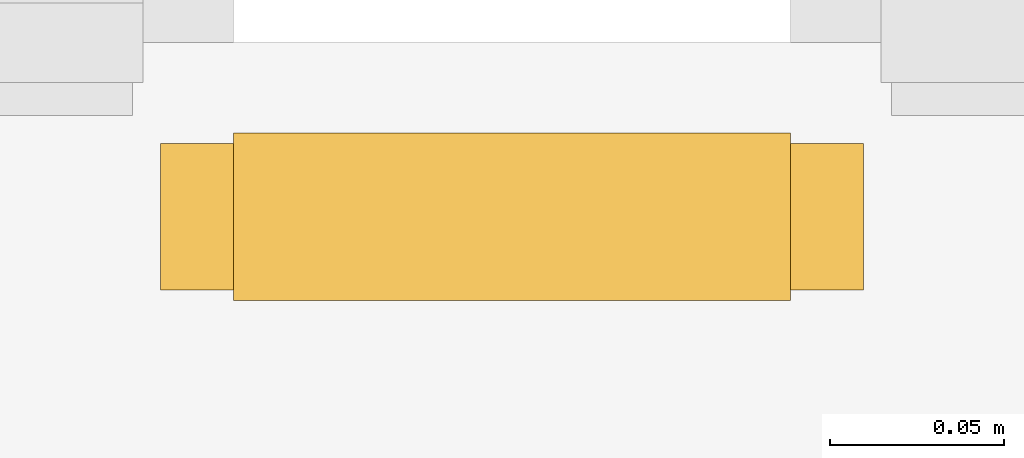
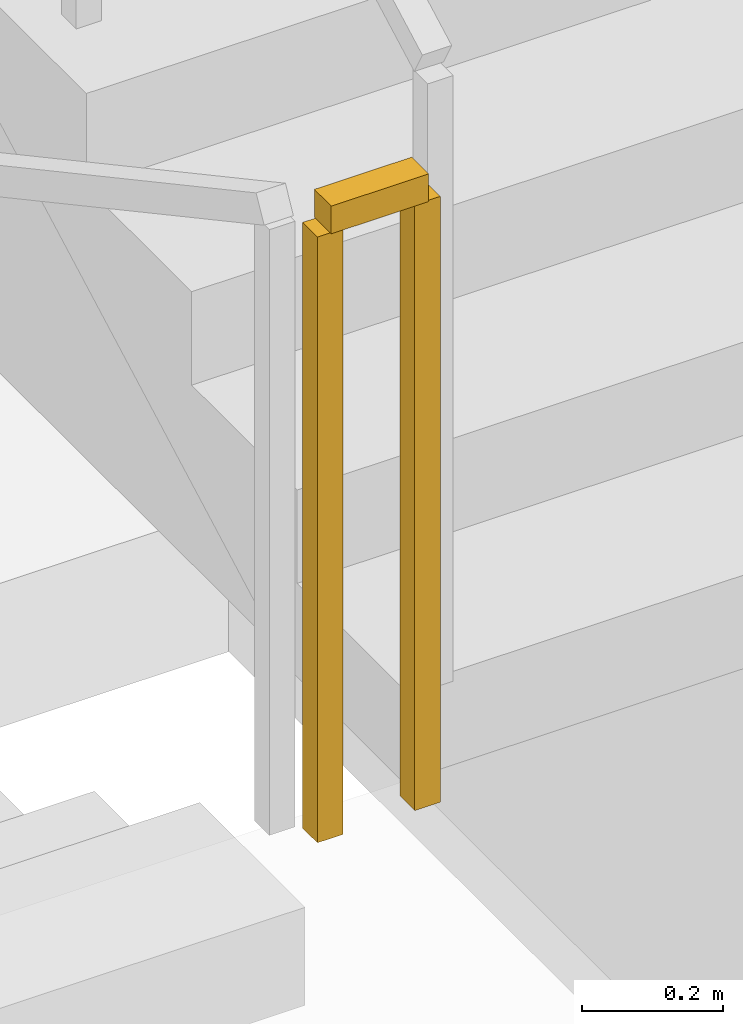
# One storey, part 11 of 16: 1 railing.
"""IFC4 building model written with IfcOpenShell, lengths in metres."""

from ifc_helpers import new_model, si_unit, direction, frame, origin, origin_2d, place, context, subcontext, project, spatial, rectangle, extrude, material, type_object, element, save


model = new_model("IFC4")

# Units and contexts
model_context = context("Model", 3, precision=1e-05, world=origin(), true_north=direction((0.0, 1.0)))
body_context = subcontext(model_context, "Body", "Model", "MODEL_VIEW")
ifc_project = project(units=[si_unit("LENGTHUNIT", "METRE"), si_unit("AREAUNIT", "SQUARE_METRE"), si_unit("VOLUMEUNIT", "CUBIC_METRE"), si_unit("PLANEANGLEUNIT", "RADIAN"), si_unit("MASSUNIT", "GRAM", prefix="KILO")], contexts=[model_context])

# Site, building, storey
site_placement = place(None, origin())
site = spatial("IfcSite", under=ifc_project, at=site_placement, CompositionType="ELEMENT")
building_placement = place(site_placement, origin())
building = spatial("IfcBuilding", under=site, at=building_placement, Name="Zulmaris Gate Convention Tower", CompositionType="ELEMENT")
storey_placement = place(building_placement, frame((0.0, 0.0, 67.89990234375)))
storey = spatial("IfcBuildingStorey", under=building, at=storey_placement, Name="L16", CompositionType="ELEMENT", Elevation=67.89990234375)

# Railing
ifc_material = material(Name="Painted Galvanised Steel", Category="steel")
railing_type = type_object("IfcRailingType", Name="RL-STG-1150", PredefinedType="GUARDRAIL", material=ifc_material)
railing_placement = place(storey_placement, frame((-13.219970703125, -5.050048828125, 1.78515625)))
element("IfcRailing", 1, at=railing_placement, inside=storey, type_object=railing_type, Name="L16 ST-1 stair guard 2", PredefinedType="GUARDRAIL", context=body_context, shape_type="SweptSolid", body=[
    extrude(rectangle(XDim=0.048095703125, YDim=0.048095703125, at=origin_2d()), frame((0.0, 0.0, 1.076171875), z_axis=(1.0, 0.0, 0.0), x_axis=(0.0, 1.0, 0.0)), (0.0, 0.0, 1.0), 0.159912109375),
    extrude(rectangle(XDim=0.0419921875, YDim=0.0419921875, at=origin_2d()), origin(), (0.0, 0.0, 1.0), 1.052001953125),
    extrude(rectangle(XDim=0.0419921875, YDim=0.0419921875, at=origin_2d()), frame((0.159912109375, 0.0, 0.0)), (0.0, 0.0, 1.0), 1.052001953125),
])

save(model, "model.ifc")
